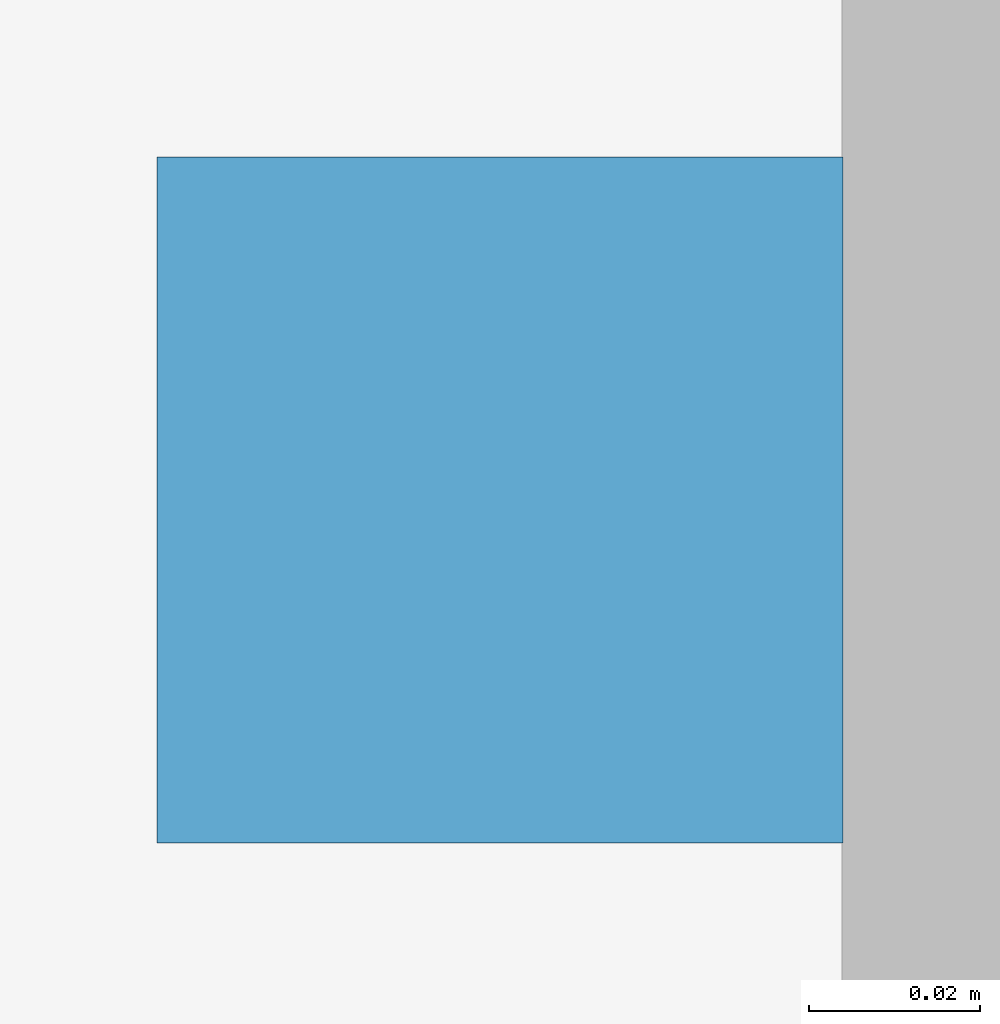
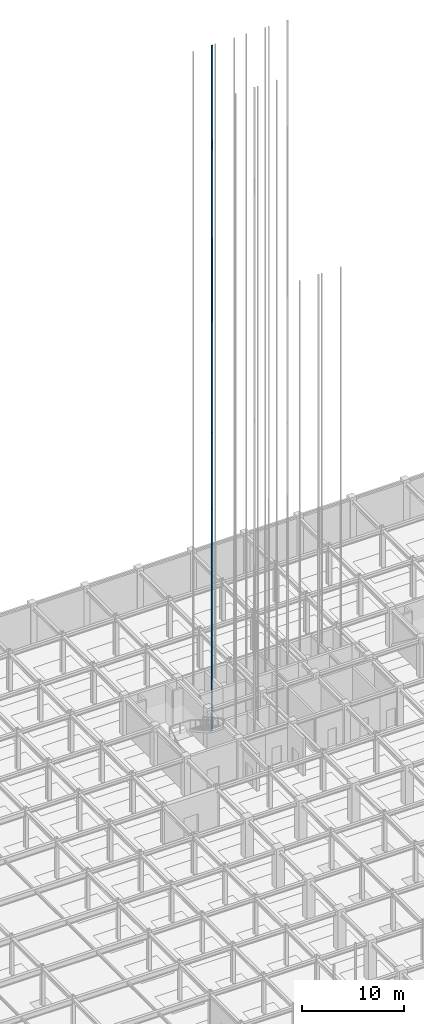
# One storey, part 57 of 69: 1 discrete accessory.
"""IFC4 building model written with IfcOpenShell, lengths in metres."""

from ifc_helpers import new_model, si_unit, direction, frame, origin, origin_2d, place, context, subcontext, project, spatial, rectangle, extrude, material, type_object, element, save


model = new_model("IFC4")

# Units and contexts
model_context = context("Model", 3, precision=1e-05, world=origin(), true_north=direction((0.0, 1.0)))
body_context = subcontext(model_context, "Body", "Model", "MODEL_VIEW")
ifc_project = project(units=[si_unit("LENGTHUNIT", "METRE"), si_unit("AREAUNIT", "SQUARE_METRE"), si_unit("VOLUMEUNIT", "CUBIC_METRE"), si_unit("PLANEANGLEUNIT", "RADIAN"), si_unit("MASSUNIT", "GRAM", prefix="KILO")], contexts=[model_context])

# Site, building, storey
site_placement = place(None, origin())
site = spatial("IfcSite", under=ifc_project, at=site_placement, CompositionType="ELEMENT")
building_placement = place(site_placement, origin())
building = spatial("IfcBuilding", under=site, at=building_placement, Name="Zlatovratsky Civic Hall", CompositionType="ELEMENT")
storey_placement = place(building_placement, frame((0.0, 0.0, -4.800048828125)))
storey = spatial("IfcBuildingStorey", under=building, at=storey_placement, Name="B1", CompositionType="ELEMENT", Elevation=-4.800048828125)

# Discrete accessory
ifc_material = material(Name="Steel S355", Category="steel")
discrete_accessory_type = type_object("IfcDiscreteAccessoryType", Name="Lift_GuideRail", PredefinedType="USERDEFINED", material=ifc_material)
discrete_accessory_placement = place(storey_placement, frame((74.81005859375, 94.14990234375, -1.60009765625), z_axis=(0.0, 0.0, 1.0), x_axis=(1.0, 0.0, 0.0)))
element("IfcDiscreteAccessory", 1, at=discrete_accessory_placement, inside=storey, type_object=discrete_accessory_type, Name="Lift Guide Rail LP-01 R", ObjectType="GUIDE RAIL", PredefinedType="USERDEFINED", context=body_context, shape_type="SweptSolid", body=[
    extrude(rectangle(XDim=0.080078125, YDim=0.080078125, at=origin_2d()), origin(), (0.0, 0.0, 1.0), 81.60009765625),
])

save(model, "model.ifc")
